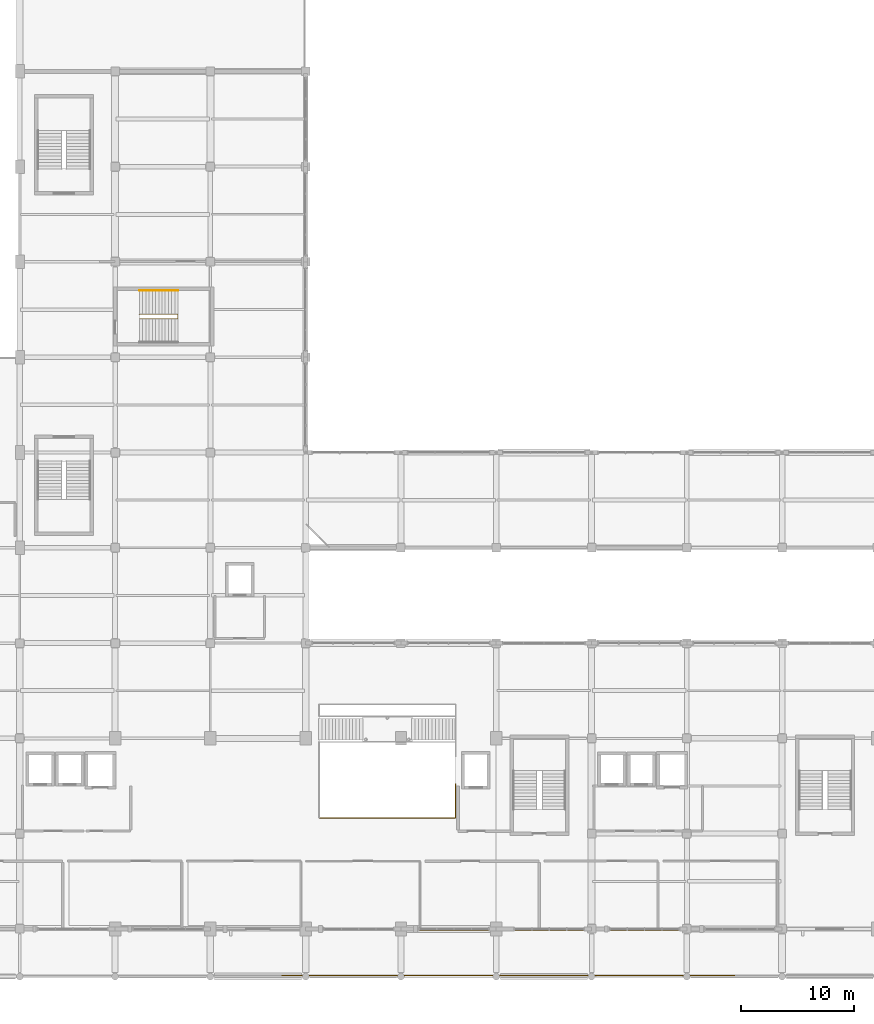
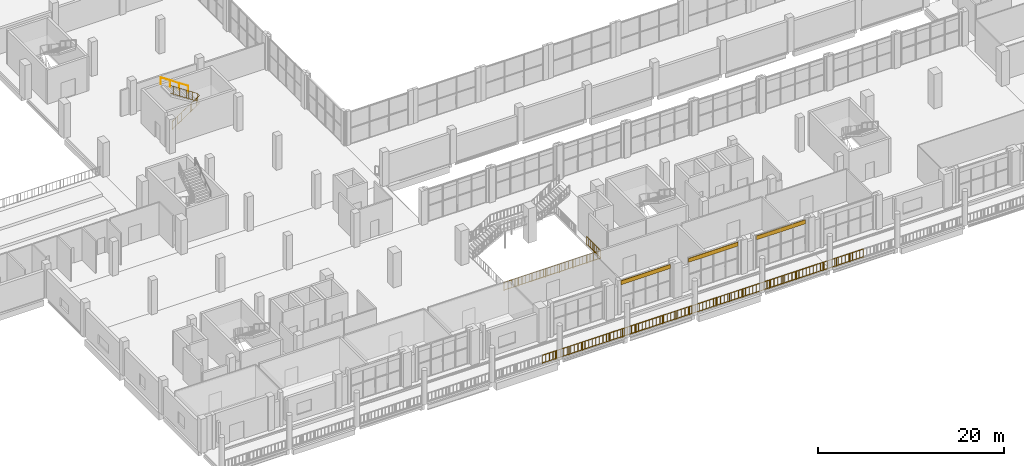
# One storey, part 70 of 75: 5 railings, 3 coverings.
"""IFC4 building model written with IfcOpenShell, lengths in metres."""

from ifc_helpers import new_model, si_unit, derived_unit, direction, frame, origin, origin_2d, place, context, subcontext, project, spatial, rectangle, circle, extrude, material, layer, layer_set, type_object, element, save


model = new_model("IFC4")

# Units and contexts
model_context = context("Model", 3, precision=1e-05, world=origin(), true_north=direction((0.0, 1.0)))
body_context = subcontext(model_context, "Body", "Model", "MODEL_VIEW")
ifc_project = project(units=[si_unit("LENGTHUNIT", "METRE"), si_unit("AREAUNIT", "SQUARE_METRE"), si_unit("VOLUMEUNIT", "CUBIC_METRE"), si_unit("PLANEANGLEUNIT", "RADIAN"), si_unit("MASSUNIT", "GRAM", prefix="KILO"), derived_unit("THERMALTRANSMITTANCEUNIT", [(si_unit("POWERUNIT", "WATT"), 1), (si_unit("LENGTHUNIT", "METRE"), -2), (si_unit("THERMODYNAMICTEMPERATUREUNIT", "KELVIN"), -1)])], contexts=[model_context])

# Site, building, storey
site_placement = place(None, origin())
site = spatial("IfcSite", under=ifc_project, at=site_placement, CompositionType="ELEMENT")
building_placement = place(site_placement, origin())
building = spatial("IfcBuilding", under=site, at=building_placement, Name="Barrovel Congress Hotel", CompositionType="ELEMENT")
storey_placement = place(building_placement, frame((0.0, 0.0, 5.39990234375)))
storey = spatial("IfcBuildingStorey", under=building, at=storey_placement, Name="L01", CompositionType="ELEMENT", Elevation=5.39990234375)

# Coverings
ifc_material_1 = material(Name="Glazed Terracotta Spandrel", Category="masonry")
ifc_layer_1 = layer(ifc_material_1, 0.1201171875)
ifc_layer_set_1 = layer_set([ifc_layer_1], Name="Glazed Terracotta Spandrel")
covering_type = type_object("IfcCoveringType", Name="COV-CLAD-TERRA", PredefinedType="CLADDING", material=ifc_layer_set_1)
for number, where, z_axis, x_axis, name in (
    (1, (71.8798828125, 4.14990234375, 3.710205078125), (0.0, 0.0, 1.0), (1.0, 0.0, 0.0), "CLAD:L01:S:08"),
    (2, (80.280029296875, 4.14990234375, 3.710205078125), (0.0, 0.0, 1.0), (1.0, 0.0, 0.0), "CLAD:L01:S:09"),
    (3, (88.679931640625, 4.14990234375, 3.710205078125), (0.0, 0.0, 1.0), (1.0, 0.0, 0.0), "CLAD:L01:S:10"),
):
    element("IfcCovering", number, at=place(storey_placement, frame(where, z_axis=z_axis, x_axis=x_axis)), inside=storey, type_object=covering_type, Name=name, PredefinedType="CLADDING", context=body_context, shape_type="SweptSolid", body=[
        extrude(rectangle(XDim=6.1201171875, YDim=0.1201171875, at=origin_2d()), origin(), (0.0, 0.0, 1.0), 0.52001953125),
    ])

# Railings
ifc_material_2 = material(Name="Painted Architectural Steel", Category="steel")
ifc_layer_2 = layer(ifc_material_2, 0.080078125)
ifc_layer_set_2 = layer_set([ifc_layer_2], Name="Painted Architectural Steel")
railing_type_1 = type_object("IfcRailingType", Name="RAIL-GUARD-EXT", PredefinedType="BALUSTRADE", material=ifc_layer_set_2)
railing_1_placement = place(storey_placement, frame((56.699951171875, 0.080078125, 0.0)))
element("IfcRailing", 4, at=railing_1_placement, inside=storey, type_object=railing_type_1, Name="Arcade Promenade Guardrail 3", PredefinedType="BALUSTRADE", context=body_context, shape_type="SweptSolid", body=[
    extrude(circle(Radius=0.02392578125, at=origin_2d()), frame((0.0, 0.0, 1.11572265625), z_axis=(1.0, 0.0, 0.0), x_axis=(0.0, 1.0, 0.0)), (0.0, 0.0, 1.0), 19.949951171875),
    extrude(circle(Radius=0.02392578125, at=origin_2d()), frame((0.0, 0.0, 0.10009765625), z_axis=(1.0, 0.0, 0.0), x_axis=(0.0, 1.0, 0.0)), (0.0, 0.0, 1.0), 19.949951171875),
    extrude(circle(Radius=0.010009765625, at=origin_2d()), frame((0.443359375, 0.0, 0.10009765625)), (0.0, 0.0, 1.0), 0.99169921875),
    extrude(circle(Radius=0.010009765625, at=origin_2d()), frame((0.88671875, 0.0, 0.10009765625)), (0.0, 0.0, 1.0), 0.99169921875),
    extrude(circle(Radius=0.010009765625, at=origin_2d()), frame((1.330078125, 0.0, 0.10009765625)), (0.0, 0.0, 1.0), 0.99169921875),
    extrude(circle(Radius=0.010009765625, at=origin_2d()), frame((1.7734375, 0.0, 0.10009765625)), (0.0, 0.0, 1.0), 0.99169921875),
    extrude(circle(Radius=0.010009765625, at=origin_2d()), frame((2.216552734375, 0.0, 0.10009765625)), (0.0, 0.0, 1.0), 0.99169921875),
    extrude(circle(Radius=0.010009765625, at=origin_2d()), frame((2.659912109375, 0.0, 0.10009765625)), (0.0, 0.0, 1.0), 0.99169921875),
    extrude(circle(Radius=0.010009765625, at=origin_2d()), frame((3.103271484375, 0.0, 0.10009765625)), (0.0, 0.0, 1.0), 0.99169921875),
    extrude(circle(Radius=0.010009765625, at=origin_2d()), frame((3.546630859375, 0.0, 0.10009765625)), (0.0, 0.0, 1.0), 0.99169921875),
    extrude(circle(Radius=0.010009765625, at=origin_2d()), frame((3.989990234375, 0.0, 0.10009765625)), (0.0, 0.0, 1.0), 0.99169921875),
    extrude(circle(Radius=0.010009765625, at=origin_2d()), frame((4.433349609375, 0.0, 0.10009765625)), (0.0, 0.0, 1.0), 0.99169921875),
    extrude(circle(Radius=0.010009765625, at=origin_2d()), frame((4.876708984375, 0.0, 0.10009765625)), (0.0, 0.0, 1.0), 0.99169921875),
    extrude(circle(Radius=0.010009765625, at=origin_2d()), frame((5.320068359375, 0.0, 0.10009765625)), (0.0, 0.0, 1.0), 0.99169921875),
    extrude(circle(Radius=0.010009765625, at=origin_2d()), frame((5.763427734375, 0.0, 0.10009765625)), (0.0, 0.0, 1.0), 0.99169921875),
    extrude(circle(Radius=0.010009765625, at=origin_2d()), frame((6.20654296875, 0.0, 0.10009765625)), (0.0, 0.0, 1.0), 0.99169921875),
    extrude(circle(Radius=0.010009765625, at=origin_2d()), frame((6.64990234375, 0.0, 0.10009765625)), (0.0, 0.0, 1.0), 0.99169921875),
    extrude(circle(Radius=0.010009765625, at=origin_2d()), frame((7.09326171875, 0.0, 0.10009765625)), (0.0, 0.0, 1.0), 0.99169921875),
    extrude(circle(Radius=0.010009765625, at=origin_2d()), frame((7.53662109375, 0.0, 0.10009765625)), (0.0, 0.0, 1.0), 0.99169921875),
    extrude(circle(Radius=0.010009765625, at=origin_2d()), frame((7.97998046875, 0.0, 0.10009765625)), (0.0, 0.0, 1.0), 0.99169921875),
    extrude(circle(Radius=0.010009765625, at=origin_2d()), frame((8.42333984375, 0.0, 0.10009765625)), (0.0, 0.0, 1.0), 0.99169921875),
    extrude(circle(Radius=0.010009765625, at=origin_2d()), frame((8.86669921875, 0.0, 0.10009765625)), (0.0, 0.0, 1.0), 0.99169921875),
    extrude(circle(Radius=0.010009765625, at=origin_2d()), frame((9.31005859375, 0.0, 0.10009765625)), (0.0, 0.0, 1.0), 0.99169921875),
    extrude(circle(Radius=0.010009765625, at=origin_2d()), frame((9.75341796875, 0.0, 0.10009765625)), (0.0, 0.0, 1.0), 0.99169921875),
    extrude(circle(Radius=0.010009765625, at=origin_2d()), frame((10.196533203125, 0.0, 0.10009765625)), (0.0, 0.0, 1.0), 0.99169921875),
    extrude(circle(Radius=0.010009765625, at=origin_2d()), frame((10.639892578125, 0.0, 0.10009765625)), (0.0, 0.0, 1.0), 0.99169921875),
    extrude(circle(Radius=0.010009765625, at=origin_2d()), frame((11.083251953125, 0.0, 0.10009765625)), (0.0, 0.0, 1.0), 0.99169921875),
    extrude(circle(Radius=0.010009765625, at=origin_2d()), frame((11.526611328125, 0.0, 0.10009765625)), (0.0, 0.0, 1.0), 0.99169921875),
    extrude(circle(Radius=0.010009765625, at=origin_2d()), frame((11.969970703125, 0.0, 0.10009765625)), (0.0, 0.0, 1.0), 0.99169921875),
    extrude(circle(Radius=0.010009765625, at=origin_2d()), frame((12.413330078125, 0.0, 0.10009765625)), (0.0, 0.0, 1.0), 0.99169921875),
    extrude(circle(Radius=0.010009765625, at=origin_2d()), frame((12.856689453125, 0.0, 0.10009765625)), (0.0, 0.0, 1.0), 0.99169921875),
    extrude(circle(Radius=0.010009765625, at=origin_2d()), frame((13.300048828125, 0.0, 0.10009765625)), (0.0, 0.0, 1.0), 0.99169921875),
    extrude(circle(Radius=0.010009765625, at=origin_2d()), frame((13.743408203125, 0.0, 0.10009765625)), (0.0, 0.0, 1.0), 0.99169921875),
    extrude(circle(Radius=0.010009765625, at=origin_2d()), frame((14.1865234375, 0.0, 0.10009765625)), (0.0, 0.0, 1.0), 0.99169921875),
    extrude(circle(Radius=0.010009765625, at=origin_2d()), frame((14.6298828125, 0.0, 0.10009765625)), (0.0, 0.0, 1.0), 0.99169921875),
    extrude(circle(Radius=0.010009765625, at=origin_2d()), frame((15.0732421875, 0.0, 0.10009765625)), (0.0, 0.0, 1.0), 0.99169921875),
    extrude(circle(Radius=0.010009765625, at=origin_2d()), frame((15.5166015625, 0.0, 0.10009765625)), (0.0, 0.0, 1.0), 0.99169921875),
    extrude(circle(Radius=0.010009765625, at=origin_2d()), frame((15.9599609375, 0.0, 0.10009765625)), (0.0, 0.0, 1.0), 0.99169921875),
    extrude(circle(Radius=0.010009765625, at=origin_2d()), frame((16.4033203125, 0.0, 0.10009765625)), (0.0, 0.0, 1.0), 0.99169921875),
    extrude(circle(Radius=0.010009765625, at=origin_2d()), frame((16.8466796875, 0.0, 0.10009765625)), (0.0, 0.0, 1.0), 0.99169921875),
    extrude(circle(Radius=0.010009765625, at=origin_2d()), frame((17.2900390625, 0.0, 0.10009765625)), (0.0, 0.0, 1.0), 0.99169921875),
    extrude(circle(Radius=0.010009765625, at=origin_2d()), frame((17.7333984375, 0.0, 0.10009765625)), (0.0, 0.0, 1.0), 0.99169921875),
    extrude(circle(Radius=0.010009765625, at=origin_2d()), frame((18.176513671875, 0.0, 0.10009765625)), (0.0, 0.0, 1.0), 0.99169921875),
    extrude(circle(Radius=0.010009765625, at=origin_2d()), frame((18.619873046875, 0.0, 0.10009765625)), (0.0, 0.0, 1.0), 0.99169921875),
    extrude(circle(Radius=0.010009765625, at=origin_2d()), frame((19.063232421875, 0.0, 0.10009765625)), (0.0, 0.0, 1.0), 0.99169921875),
    extrude(circle(Radius=0.010009765625, at=origin_2d()), frame((19.506591796875, 0.0, 0.10009765625)), (0.0, 0.0, 1.0), 0.99169921875),
    extrude(circle(Radius=0.02099609375, at=origin_2d()), origin(), (0.0, 0.0, 1.0), 1.091796875),
    extrude(circle(Radius=0.02099609375, at=origin_2d()), frame((1.66259765625, 0.0, 0.0)), (0.0, 0.0, 1.0), 1.091796875),
    extrude(circle(Radius=0.02099609375, at=origin_2d()), frame((3.324951171875, 0.0, 0.0)), (0.0, 0.0, 1.0), 1.091796875),
    extrude(circle(Radius=0.02099609375, at=origin_2d()), frame((4.987548828125, 0.0, 0.0)), (0.0, 0.0, 1.0), 1.091796875),
    extrude(circle(Radius=0.02099609375, at=origin_2d()), frame((6.64990234375, 0.0, 0.0)), (0.0, 0.0, 1.0), 1.091796875),
    extrude(circle(Radius=0.02099609375, at=origin_2d()), frame((8.3125, 0.0, 0.0)), (0.0, 0.0, 1.0), 1.091796875),
    extrude(circle(Radius=0.02099609375, at=origin_2d()), frame((9.97509765625, 0.0, 0.0)), (0.0, 0.0, 1.0), 1.091796875),
    extrude(circle(Radius=0.02099609375, at=origin_2d()), frame((11.637451171875, 0.0, 0.0)), (0.0, 0.0, 1.0), 1.091796875),
    extrude(circle(Radius=0.02099609375, at=origin_2d()), frame((13.300048828125, 0.0, 0.0)), (0.0, 0.0, 1.0), 1.091796875),
    extrude(circle(Radius=0.02099609375, at=origin_2d()), frame((14.96240234375, 0.0, 0.0)), (0.0, 0.0, 1.0), 1.091796875),
    extrude(circle(Radius=0.02099609375, at=origin_2d()), frame((16.625, 0.0, 0.0)), (0.0, 0.0, 1.0), 1.091796875),
    extrude(circle(Radius=0.02099609375, at=origin_2d()), frame((18.287353515625, 0.0, 0.0)), (0.0, 0.0, 1.0), 1.091796875),
    extrude(circle(Radius=0.02099609375, at=origin_2d()), frame((19.949951171875, 0.0, 0.0)), (0.0, 0.0, 1.0), 1.091796875),
])
railing_2_placement = place(storey_placement, frame((76.64990234375, 0.080078125, 0.0)))
element("IfcRailing", 5, at=railing_2_placement, inside=storey, type_object=railing_type_1, Name="Arcade Promenade Guardrail 4", PredefinedType="BALUSTRADE", context=body_context, shape_type="SweptSolid", body=[
    extrude(circle(Radius=0.02392578125, at=origin_2d()), frame((0.0, 0.0, 1.11572265625), z_axis=(1.0, 0.0, 0.0), x_axis=(0.0, 1.0, 0.0)), (0.0, 0.0, 1.0), 19.9501953125),
    extrude(circle(Radius=0.02392578125, at=origin_2d()), frame((0.0, 0.0, 0.10009765625), z_axis=(1.0, 0.0, 0.0), x_axis=(0.0, 1.0, 0.0)), (0.0, 0.0, 1.0), 19.9501953125),
    extrude(circle(Radius=0.010009765625, at=origin_2d()), frame((0.443359375, 0.0, 0.10009765625)), (0.0, 0.0, 1.0), 0.99169921875),
    extrude(circle(Radius=0.010009765625, at=origin_2d()), frame((0.88671875, 0.0, 0.10009765625)), (0.0, 0.0, 1.0), 0.99169921875),
    extrude(circle(Radius=0.010009765625, at=origin_2d()), frame((1.330078125, 0.0, 0.10009765625)), (0.0, 0.0, 1.0), 0.99169921875),
    extrude(circle(Radius=0.010009765625, at=origin_2d()), frame((1.7734375, 0.0, 0.10009765625)), (0.0, 0.0, 1.0), 0.99169921875),
    extrude(circle(Radius=0.010009765625, at=origin_2d()), frame((2.216796875, 0.0, 0.10009765625)), (0.0, 0.0, 1.0), 0.99169921875),
    extrude(circle(Radius=0.010009765625, at=origin_2d()), frame((2.659912109375, 0.0, 0.10009765625)), (0.0, 0.0, 1.0), 0.99169921875),
    extrude(circle(Radius=0.010009765625, at=origin_2d()), frame((3.103271484375, 0.0, 0.10009765625)), (0.0, 0.0, 1.0), 0.99169921875),
    extrude(circle(Radius=0.010009765625, at=origin_2d()), frame((3.546630859375, 0.0, 0.10009765625)), (0.0, 0.0, 1.0), 0.99169921875),
    extrude(circle(Radius=0.010009765625, at=origin_2d()), frame((3.989990234375, 0.0, 0.10009765625)), (0.0, 0.0, 1.0), 0.99169921875),
    extrude(circle(Radius=0.010009765625, at=origin_2d()), frame((4.433349609375, 0.0, 0.10009765625)), (0.0, 0.0, 1.0), 0.99169921875),
    extrude(circle(Radius=0.010009765625, at=origin_2d()), frame((4.876708984375, 0.0, 0.10009765625)), (0.0, 0.0, 1.0), 0.99169921875),
    extrude(circle(Radius=0.010009765625, at=origin_2d()), frame((5.320068359375, 0.0, 0.10009765625)), (0.0, 0.0, 1.0), 0.99169921875),
    extrude(circle(Radius=0.010009765625, at=origin_2d()), frame((5.763427734375, 0.0, 0.10009765625)), (0.0, 0.0, 1.0), 0.99169921875),
    extrude(circle(Radius=0.010009765625, at=origin_2d()), frame((6.206787109375, 0.0, 0.10009765625)), (0.0, 0.0, 1.0), 0.99169921875),
    extrude(circle(Radius=0.010009765625, at=origin_2d()), frame((6.650146484375, 0.0, 0.10009765625)), (0.0, 0.0, 1.0), 0.99169921875),
    extrude(circle(Radius=0.010009765625, at=origin_2d()), frame((7.093505859375, 0.0, 0.10009765625)), (0.0, 0.0, 1.0), 0.99169921875),
    extrude(circle(Radius=0.010009765625, at=origin_2d()), frame((7.53662109375, 0.0, 0.10009765625)), (0.0, 0.0, 1.0), 0.99169921875),
    extrude(circle(Radius=0.010009765625, at=origin_2d()), frame((7.97998046875, 0.0, 0.10009765625)), (0.0, 0.0, 1.0), 0.99169921875),
    extrude(circle(Radius=0.010009765625, at=origin_2d()), frame((8.42333984375, 0.0, 0.10009765625)), (0.0, 0.0, 1.0), 0.99169921875),
    extrude(circle(Radius=0.010009765625, at=origin_2d()), frame((8.86669921875, 0.0, 0.10009765625)), (0.0, 0.0, 1.0), 0.99169921875),
    extrude(circle(Radius=0.010009765625, at=origin_2d()), frame((9.31005859375, 0.0, 0.10009765625)), (0.0, 0.0, 1.0), 0.99169921875),
    extrude(circle(Radius=0.010009765625, at=origin_2d()), frame((9.75341796875, 0.0, 0.10009765625)), (0.0, 0.0, 1.0), 0.99169921875),
    extrude(circle(Radius=0.010009765625, at=origin_2d()), frame((10.19677734375, 0.0, 0.10009765625)), (0.0, 0.0, 1.0), 0.99169921875),
    extrude(circle(Radius=0.010009765625, at=origin_2d()), frame((10.64013671875, 0.0, 0.10009765625)), (0.0, 0.0, 1.0), 0.99169921875),
    extrude(circle(Radius=0.010009765625, at=origin_2d()), frame((11.08349609375, 0.0, 0.10009765625)), (0.0, 0.0, 1.0), 0.99169921875),
    extrude(circle(Radius=0.010009765625, at=origin_2d()), frame((11.52685546875, 0.0, 0.10009765625)), (0.0, 0.0, 1.0), 0.99169921875),
    extrude(circle(Radius=0.010009765625, at=origin_2d()), frame((11.97021484375, 0.0, 0.10009765625)), (0.0, 0.0, 1.0), 0.99169921875),
    extrude(circle(Radius=0.010009765625, at=origin_2d()), frame((12.41357421875, 0.0, 0.10009765625)), (0.0, 0.0, 1.0), 0.99169921875),
    extrude(circle(Radius=0.010009765625, at=origin_2d()), frame((12.856689453125, 0.0, 0.10009765625)), (0.0, 0.0, 1.0), 0.99169921875),
    extrude(circle(Radius=0.010009765625, at=origin_2d()), frame((13.300048828125, 0.0, 0.10009765625)), (0.0, 0.0, 1.0), 0.99169921875),
    extrude(circle(Radius=0.010009765625, at=origin_2d()), frame((13.743408203125, 0.0, 0.10009765625)), (0.0, 0.0, 1.0), 0.99169921875),
    extrude(circle(Radius=0.010009765625, at=origin_2d()), frame((14.186767578125, 0.0, 0.10009765625)), (0.0, 0.0, 1.0), 0.99169921875),
    extrude(circle(Radius=0.010009765625, at=origin_2d()), frame((14.630126953125, 0.0, 0.10009765625)), (0.0, 0.0, 1.0), 0.99169921875),
    extrude(circle(Radius=0.010009765625, at=origin_2d()), frame((15.073486328125, 0.0, 0.10009765625)), (0.0, 0.0, 1.0), 0.99169921875),
    extrude(circle(Radius=0.010009765625, at=origin_2d()), frame((15.516845703125, 0.0, 0.10009765625)), (0.0, 0.0, 1.0), 0.99169921875),
    extrude(circle(Radius=0.010009765625, at=origin_2d()), frame((15.960205078125, 0.0, 0.10009765625)), (0.0, 0.0, 1.0), 0.99169921875),
    extrude(circle(Radius=0.010009765625, at=origin_2d()), frame((16.403564453125, 0.0, 0.10009765625)), (0.0, 0.0, 1.0), 0.99169921875),
    extrude(circle(Radius=0.010009765625, at=origin_2d()), frame((16.846923828125, 0.0, 0.10009765625)), (0.0, 0.0, 1.0), 0.99169921875),
    extrude(circle(Radius=0.010009765625, at=origin_2d()), frame((17.290283203125, 0.0, 0.10009765625)), (0.0, 0.0, 1.0), 0.99169921875),
    extrude(circle(Radius=0.010009765625, at=origin_2d()), frame((17.7333984375, 0.0, 0.10009765625)), (0.0, 0.0, 1.0), 0.99169921875),
    extrude(circle(Radius=0.010009765625, at=origin_2d()), frame((18.1767578125, 0.0, 0.10009765625)), (0.0, 0.0, 1.0), 0.99169921875),
    extrude(circle(Radius=0.010009765625, at=origin_2d()), frame((18.6201171875, 0.0, 0.10009765625)), (0.0, 0.0, 1.0), 0.99169921875),
    extrude(circle(Radius=0.010009765625, at=origin_2d()), frame((19.0634765625, 0.0, 0.10009765625)), (0.0, 0.0, 1.0), 0.99169921875),
    extrude(circle(Radius=0.010009765625, at=origin_2d()), frame((19.5068359375, 0.0, 0.10009765625)), (0.0, 0.0, 1.0), 0.99169921875),
    extrude(circle(Radius=0.02099609375, at=origin_2d()), origin(), (0.0, 0.0, 1.0), 1.091796875),
    extrude(circle(Radius=0.02099609375, at=origin_2d()), frame((1.66259765625, 0.0, 0.0)), (0.0, 0.0, 1.0), 1.091796875),
    extrude(circle(Radius=0.02099609375, at=origin_2d()), frame((3.324951171875, 0.0, 0.0)), (0.0, 0.0, 1.0), 1.091796875),
    extrude(circle(Radius=0.02099609375, at=origin_2d()), frame((4.987548828125, 0.0, 0.0)), (0.0, 0.0, 1.0), 1.091796875),
    extrude(circle(Radius=0.02099609375, at=origin_2d()), frame((6.650146484375, 0.0, 0.0)), (0.0, 0.0, 1.0), 1.091796875),
    extrude(circle(Radius=0.02099609375, at=origin_2d()), frame((8.3125, 0.0, 0.0)), (0.0, 0.0, 1.0), 1.091796875),
    extrude(circle(Radius=0.02099609375, at=origin_2d()), frame((9.97509765625, 0.0, 0.0)), (0.0, 0.0, 1.0), 1.091796875),
    extrude(circle(Radius=0.02099609375, at=origin_2d()), frame((11.6376953125, 0.0, 0.0)), (0.0, 0.0, 1.0), 1.091796875),
    extrude(circle(Radius=0.02099609375, at=origin_2d()), frame((13.300048828125, 0.0, 0.0)), (0.0, 0.0, 1.0), 1.091796875),
    extrude(circle(Radius=0.02099609375, at=origin_2d()), frame((14.962646484375, 0.0, 0.0)), (0.0, 0.0, 1.0), 1.091796875),
    extrude(circle(Radius=0.02099609375, at=origin_2d()), frame((16.625244140625, 0.0, 0.0)), (0.0, 0.0, 1.0), 1.091796875),
    extrude(circle(Radius=0.02099609375, at=origin_2d()), frame((18.28759765625, 0.0, 0.0)), (0.0, 0.0, 1.0), 1.091796875),
    extrude(circle(Radius=0.02099609375, at=origin_2d()), frame((19.9501953125, 0.0, 0.0)), (0.0, 0.0, 1.0), 1.091796875),
])
ifc_layer_3 = layer(ifc_material_2, 0.070068359375)
ifc_layer_set_3 = layer_set([ifc_layer_3], Name="Painted Architectural Steel")
railing_type_2 = type_object("IfcRailingType", Name="RAIL-GUARD-INT", PredefinedType="BALUSTRADE", material=ifc_layer_set_3)
railing_3_placement = place(storey_placement, frame((44.139892578125, 58.010009765625, 0.0)))
element("IfcRailing", 6, at=railing_3_placement, inside=storey, type_object=railing_type_2, Name="STAIR:XS-05:L01:GR-W", PredefinedType="BALUSTRADE", context=body_context, shape_type="SweptSolid", body=[
    extrude(circle(Radius=0.02392578125, at=origin_2d()), frame((0.0, 0.0, 1.11572265625), z_axis=(0.833193183746, 0.0, 0.552982023722), x_axis=(0.0, 1.0, 0.0)), (0.0, 0.0, 1.0), 4.06884765625),
    extrude(circle(Radius=0.02392578125, at=origin_2d()), frame((0.0, 0.0, 0.10009765625), z_axis=(0.833193183746, 0.0, 0.552982023722), x_axis=(0.0, 1.0, 0.0)), (0.0, 0.0, 1.0), 4.06884765625),
    extrude(circle(Radius=0.010009765625, at=origin_2d()), frame((0.339111328125, 0.0, 0.324951171875)), (0.0, 0.0, 1.0), 0.99169921875),
    extrude(circle(Radius=0.010009765625, at=origin_2d()), frame((0.677978515625, 0.0, 0.550048828125)), (0.0, 0.0, 1.0), 0.99169921875),
    extrude(circle(Radius=0.010009765625, at=origin_2d()), frame((1.01708984375, 0.0, 0.77490234375)), (0.0, 0.0, 1.0), 0.99169921875),
    extrude(circle(Radius=0.010009765625, at=origin_2d()), frame((1.35595703125, 0.0, 1.0)), (0.0, 0.0, 1.0), 0.99169921875),
    extrude(circle(Radius=0.010009765625, at=origin_2d()), frame((1.695068359375, 0.0, 1.22509765625)), (0.0, 0.0, 1.0), 0.99169921875),
    extrude(circle(Radius=0.010009765625, at=origin_2d()), frame((2.0341796875, 0.0, 1.449951171875)), (0.0, 0.0, 1.0), 0.99169921875),
    extrude(circle(Radius=0.010009765625, at=origin_2d()), frame((2.373046875, 0.0, 1.675048828125)), (0.0, 0.0, 1.0), 0.99169921875),
    extrude(circle(Radius=0.010009765625, at=origin_2d()), frame((2.712158203125, 0.0, 1.89990234375)), (0.0, 0.0, 1.0), 0.99169921875),
    extrude(circle(Radius=0.010009765625, at=origin_2d()), frame((3.051025390625, 0.0, 2.125)), (0.0, 0.0, 1.0), 0.99169921875),
    extrude(circle(Radius=0.02392578125, at=origin_2d()), frame((3.39013671875, 0.0, 3.36572265625), z_axis=(0.0, 1.0, 0.0), x_axis=(-1.0, 0.0, 0.0)), (0.0, 0.0, 1.0), 0.3798828125),
    extrude(circle(Radius=0.02392578125, at=origin_2d()), frame((3.39013671875, 0.0, 2.35009765625), z_axis=(0.0, 1.0, 0.0), x_axis=(-1.0, 0.0, 0.0)), (0.0, 0.0, 1.0), 0.3798828125),
    extrude(circle(Radius=0.010009765625, at=origin_2d()), frame((3.39013671875, 0.18994140625, 2.35009765625)), (0.0, 0.0, 1.0), 0.99169921875),
    extrude(circle(Radius=0.02392578125, at=origin_2d()), frame((3.39013671875, 0.3798828125, 3.36572265625), z_axis=(-0.833193183746, 0.0, 0.552982023722), x_axis=(0.0, -1.0, 0.0)), (0.0, 0.0, 1.0), 4.06884765625),
    extrude(circle(Radius=0.02392578125, at=origin_2d()), frame((3.39013671875, 0.3798828125, 2.35009765625), z_axis=(-0.833193183746, 0.0, 0.552982023722), x_axis=(0.0, -1.0, 0.0)), (0.0, 0.0, 1.0), 4.06884765625),
    extrude(circle(Radius=0.010009765625, at=origin_2d()), frame((3.051025390625, 0.3798828125, 2.574951171875)), (0.0, 0.0, 1.0), 0.99169921875),
    extrude(circle(Radius=0.010009765625, at=origin_2d()), frame((2.712158203125, 0.3798828125, 2.800048828125)), (0.0, 0.0, 1.0), 0.99169921875),
    extrude(circle(Radius=0.010009765625, at=origin_2d()), frame((2.373046875, 0.3798828125, 3.02490234375)), (0.0, 0.0, 1.0), 0.99169921875),
    extrude(circle(Radius=0.010009765625, at=origin_2d()), frame((2.0341796875, 0.3798828125, 3.25)), (0.0, 0.0, 1.0), 0.99169921875),
    extrude(circle(Radius=0.010009765625, at=origin_2d()), frame((1.695068359375, 0.3798828125, 3.47509765625)), (0.0, 0.0, 1.0), 0.99169921875),
    extrude(circle(Radius=0.010009765625, at=origin_2d()), frame((1.35595703125, 0.3798828125, 3.699951171875)), (0.0, 0.0, 1.0), 0.99169921875),
    extrude(circle(Radius=0.010009765625, at=origin_2d()), frame((1.01708984375, 0.3798828125, 3.925048828125)), (0.0, 0.0, 1.0), 0.99169921875),
    extrude(circle(Radius=0.010009765625, at=origin_2d()), frame((0.677978515625, 0.3798828125, 4.14990234375)), (0.0, 0.0, 1.0), 0.99169921875),
    extrude(circle(Radius=0.010009765625, at=origin_2d()), frame((0.339111328125, 0.3798828125, 4.375)), (0.0, 0.0, 1.0), 0.99169921875),
    extrude(circle(Radius=0.02099609375, at=origin_2d()), origin(), (0.0, 0.0, 1.0), 1.091796875),
    extrude(circle(Radius=0.02099609375, at=origin_2d()), frame((1.130126953125, 0.0, 0.75)), (0.0, 0.0, 1.0), 1.091796875),
    extrude(circle(Radius=0.02099609375, at=origin_2d()), frame((2.260009765625, 0.0, 1.5)), (0.0, 0.0, 1.0), 1.091796875),
    extrude(circle(Radius=0.02099609375, at=origin_2d()), frame((3.39013671875, 0.0, 2.25)), (0.0, 0.0, 1.0), 1.091796875),
    extrude(circle(Radius=0.02099609375, at=origin_2d()), frame((3.39013671875, 0.3798828125, 2.25)), (0.0, 0.0, 1.0), 1.091796875),
    extrude(circle(Radius=0.02099609375, at=origin_2d()), frame((2.260009765625, 0.3798828125, 3.0)), (0.0, 0.0, 1.0), 1.091796875),
    extrude(circle(Radius=0.02099609375, at=origin_2d()), frame((1.130126953125, 0.3798828125, 3.75)), (0.0, 0.0, 1.0), 1.091796875),
    extrude(circle(Radius=0.02099609375, at=origin_2d()), frame((0.0, 0.3798828125, 4.5)), (0.0, 0.0, 1.0), 1.091796875),
])
railing_4_placement = place(storey_placement, frame((60.0, 14.0, 0.0)))
element("IfcRailing", 7, at=railing_4_placement, inside=storey, type_object=railing_type_2, Name="RAIL:L01:ATR-1", PredefinedType="BALUSTRADE", context=body_context, shape_type="SweptSolid", body=[
    extrude(circle(Radius=0.02392578125, at=origin_2d()), frame((0.0, 0.0, 1.11572265625), z_axis=(1.0, 0.0, 0.0), x_axis=(0.0, 1.0, 0.0)), (0.0, 0.0, 1.0), 12.0),
    extrude(circle(Radius=0.02392578125, at=origin_2d()), frame((0.0, 0.0, 0.10009765625), z_axis=(1.0, 0.0, 0.0), x_axis=(0.0, 1.0, 0.0)), (0.0, 0.0, 1.0), 12.0),
    extrude(circle(Radius=0.010009765625, at=origin_2d()), frame((0.4443359375, 0.0, 0.10009765625)), (0.0, 0.0, 1.0), 0.99169921875),
    extrude(circle(Radius=0.010009765625, at=origin_2d()), frame((0.888916015625, 0.0, 0.10009765625)), (0.0, 0.0, 1.0), 0.99169921875),
    extrude(circle(Radius=0.010009765625, at=origin_2d()), frame((1.333251953125, 0.0, 0.10009765625)), (0.0, 0.0, 1.0), 0.99169921875),
    extrude(circle(Radius=0.010009765625, at=origin_2d()), frame((1.77783203125, 0.0, 0.10009765625)), (0.0, 0.0, 1.0), 0.99169921875),
    extrude(circle(Radius=0.010009765625, at=origin_2d()), frame((2.22216796875, 0.0, 0.10009765625)), (0.0, 0.0, 1.0), 0.99169921875),
    extrude(circle(Radius=0.010009765625, at=origin_2d()), frame((2.666748046875, 0.0, 0.10009765625)), (0.0, 0.0, 1.0), 0.99169921875),
    extrude(circle(Radius=0.010009765625, at=origin_2d()), frame((3.111083984375, 0.0, 0.10009765625)), (0.0, 0.0, 1.0), 0.99169921875),
    extrude(circle(Radius=0.010009765625, at=origin_2d()), frame((3.5556640625, 0.0, 0.10009765625)), (0.0, 0.0, 1.0), 0.99169921875),
    extrude(circle(Radius=0.010009765625, at=origin_2d()), frame((4.0, 0.0, 0.10009765625)), (0.0, 0.0, 1.0), 0.99169921875),
    extrude(circle(Radius=0.010009765625, at=origin_2d()), frame((4.4443359375, 0.0, 0.10009765625)), (0.0, 0.0, 1.0), 0.99169921875),
    extrude(circle(Radius=0.010009765625, at=origin_2d()), frame((4.888916015625, 0.0, 0.10009765625)), (0.0, 0.0, 1.0), 0.99169921875),
    extrude(circle(Radius=0.010009765625, at=origin_2d()), frame((5.333251953125, 0.0, 0.10009765625)), (0.0, 0.0, 1.0), 0.99169921875),
    extrude(circle(Radius=0.010009765625, at=origin_2d()), frame((5.77783203125, 0.0, 0.10009765625)), (0.0, 0.0, 1.0), 0.99169921875),
    extrude(circle(Radius=0.010009765625, at=origin_2d()), frame((6.22216796875, 0.0, 0.10009765625)), (0.0, 0.0, 1.0), 0.99169921875),
    extrude(circle(Radius=0.010009765625, at=origin_2d()), frame((6.666748046875, 0.0, 0.10009765625)), (0.0, 0.0, 1.0), 0.99169921875),
    extrude(circle(Radius=0.010009765625, at=origin_2d()), frame((7.111083984375, 0.0, 0.10009765625)), (0.0, 0.0, 1.0), 0.99169921875),
    extrude(circle(Radius=0.010009765625, at=origin_2d()), frame((7.5556640625, 0.0, 0.10009765625)), (0.0, 0.0, 1.0), 0.99169921875),
    extrude(circle(Radius=0.010009765625, at=origin_2d()), frame((8.0, 0.0, 0.10009765625)), (0.0, 0.0, 1.0), 0.99169921875),
    extrude(circle(Radius=0.010009765625, at=origin_2d()), frame((8.4443359375, 0.0, 0.10009765625)), (0.0, 0.0, 1.0), 0.99169921875),
    extrude(circle(Radius=0.010009765625, at=origin_2d()), frame((8.888916015625, 0.0, 0.10009765625)), (0.0, 0.0, 1.0), 0.99169921875),
    extrude(circle(Radius=0.010009765625, at=origin_2d()), frame((9.333251953125, 0.0, 0.10009765625)), (0.0, 0.0, 1.0), 0.99169921875),
    extrude(circle(Radius=0.010009765625, at=origin_2d()), frame((9.77783203125, 0.0, 0.10009765625)), (0.0, 0.0, 1.0), 0.99169921875),
    extrude(circle(Radius=0.010009765625, at=origin_2d()), frame((10.22216796875, 0.0, 0.10009765625)), (0.0, 0.0, 1.0), 0.99169921875),
    extrude(circle(Radius=0.010009765625, at=origin_2d()), frame((10.666748046875, 0.0, 0.10009765625)), (0.0, 0.0, 1.0), 0.99169921875),
    extrude(circle(Radius=0.010009765625, at=origin_2d()), frame((11.111083984375, 0.0, 0.10009765625)), (0.0, 0.0, 1.0), 0.99169921875),
    extrude(circle(Radius=0.010009765625, at=origin_2d()), frame((11.5556640625, 0.0, 0.10009765625)), (0.0, 0.0, 1.0), 0.99169921875),
    extrude(circle(Radius=0.02392578125, at=origin_2d()), frame((12.0, 0.0, 1.11572265625), z_axis=(0.0, 1.0, 0.0), x_axis=(-1.0, 0.0, 0.0)), (0.0, 0.0, 1.0), 3.0),
    extrude(circle(Radius=0.02392578125, at=origin_2d()), frame((12.0, 0.0, 0.10009765625), z_axis=(0.0, 1.0, 0.0), x_axis=(-1.0, 0.0, 0.0)), (0.0, 0.0, 1.0), 3.0),
    extrude(circle(Radius=0.010009765625, at=origin_2d()), frame((12.0, 0.428466796875, 0.10009765625)), (0.0, 0.0, 1.0), 0.99169921875),
    extrude(circle(Radius=0.010009765625, at=origin_2d()), frame((12.0, 0.857177734375, 0.10009765625)), (0.0, 0.0, 1.0), 0.99169921875),
    extrude(circle(Radius=0.010009765625, at=origin_2d()), frame((12.0, 1.28564453125, 0.10009765625)), (0.0, 0.0, 1.0), 0.99169921875),
    extrude(circle(Radius=0.010009765625, at=origin_2d()), frame((12.0, 1.71435546875, 0.10009765625)), (0.0, 0.0, 1.0), 0.99169921875),
    extrude(circle(Radius=0.010009765625, at=origin_2d()), frame((12.0, 2.142822265625, 0.10009765625)), (0.0, 0.0, 1.0), 0.99169921875),
    extrude(circle(Radius=0.010009765625, at=origin_2d()), frame((12.0, 2.571533203125, 0.10009765625)), (0.0, 0.0, 1.0), 0.99169921875),
    extrude(circle(Radius=0.02099609375, at=origin_2d()), origin(), (0.0, 0.0, 1.0), 1.091796875),
    extrude(circle(Radius=0.02099609375, at=origin_2d()), frame((1.71435546875, 0.0, 0.0)), (0.0, 0.0, 1.0), 1.091796875),
    extrude(circle(Radius=0.02099609375, at=origin_2d()), frame((3.428466796875, 0.0, 0.0)), (0.0, 0.0, 1.0), 1.091796875),
    extrude(circle(Radius=0.02099609375, at=origin_2d()), frame((5.142822265625, 0.0, 0.0)), (0.0, 0.0, 1.0), 1.091796875),
    extrude(circle(Radius=0.02099609375, at=origin_2d()), frame((6.857177734375, 0.0, 0.0)), (0.0, 0.0, 1.0), 1.091796875),
    extrude(circle(Radius=0.02099609375, at=origin_2d()), frame((8.571533203125, 0.0, 0.0)), (0.0, 0.0, 1.0), 1.091796875),
    extrude(circle(Radius=0.02099609375, at=origin_2d()), frame((10.28564453125, 0.0, 0.0)), (0.0, 0.0, 1.0), 1.091796875),
    extrude(circle(Radius=0.02099609375, at=origin_2d()), frame((12.0, 0.0, 0.0)), (0.0, 0.0, 1.0), 1.091796875),
    extrude(circle(Radius=0.02099609375, at=origin_2d()), frame((12.0, 1.5, 0.0)), (0.0, 0.0, 1.0), 1.091796875),
    extrude(circle(Radius=0.02099609375, at=origin_2d()), frame((12.0, 3.0, 0.0)), (0.0, 0.0, 1.0), 1.091796875),
])
ifc_material_3 = material(Name="Brushed Stainless Steel", Category="steel")
ifc_layer_4 = layer(ifc_material_3, 0.050048828125)
ifc_layer_set_4 = layer_set([ifc_layer_4], Name="Brushed Stainless Steel")
railing_type_3 = type_object("IfcRailingType", Name="RAIL-HAND", PredefinedType="HANDRAIL", material=ifc_layer_set_4)
railing_5_placement = place(storey_placement, frame((47.530029296875, 60.47998046875, 2.25)))
element("IfcRailing", 8, at=railing_5_placement, inside=storey, type_object=railing_type_3, Name="STAIR:XS-05:L01:HR-2", PredefinedType="HANDRAIL", context=body_context, shape_type="SweptSolid", body=[
    extrude(circle(Radius=0.02392578125, at=origin_2d()), frame((0.0, 0.0, 0.89599609375), z_axis=(-0.833193183746, 0.0, 0.552982023722), x_axis=(0.0, -1.0, 0.0)), (0.0, 0.0, 1.0), 4.06884765625),
    extrude(circle(Radius=0.02099609375, at=origin_2d()), origin(), (0.0, 0.0, 1.0), 0.871826171875),
    extrude(circle(Radius=0.02099609375, at=origin_2d()), frame((-1.130126953125, 0.0, 0.75)), (0.0, 0.0, 1.0), 0.871826171875),
    extrude(circle(Radius=0.02099609375, at=origin_2d()), frame((-2.260009765625, 0.0, 1.5)), (0.0, 0.0, 1.0), 0.871826171875),
    extrude(circle(Radius=0.02099609375, at=origin_2d()), frame((-3.39013671875, 0.0, 2.25)), (0.0, 0.0, 1.0), 0.871826171875),
])

save(model, "model.ifc")
